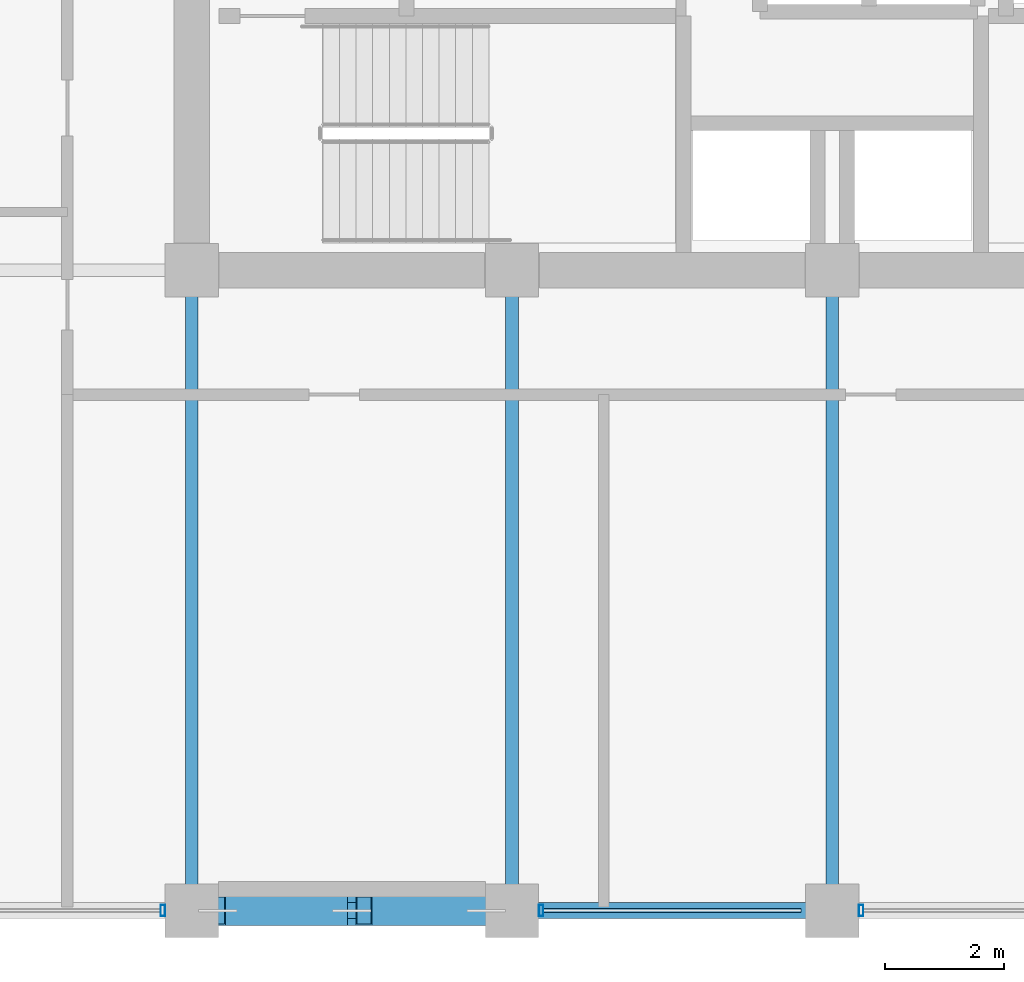
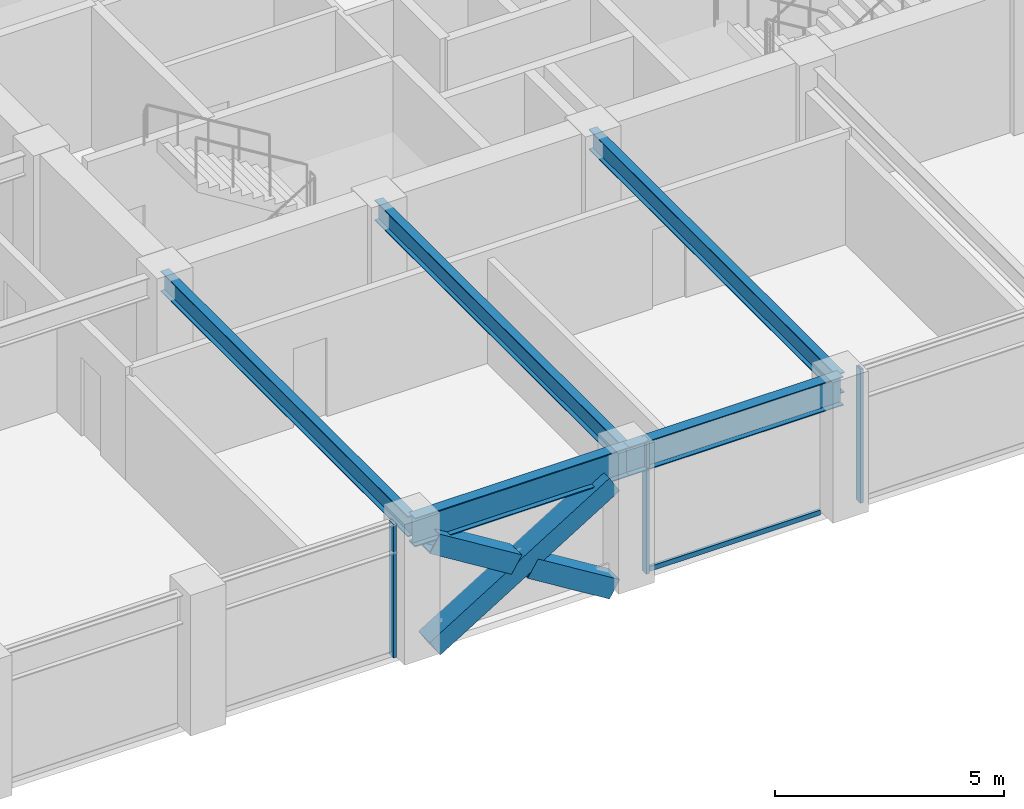
# One storey, part 4 of 28: 7 members, 5 beams, 2 elements without a shape of their own.
"""IFC4 building model written with IfcOpenShell, lengths in metres."""

from ifc_helpers import new_model, si_unit, direction, frame, origin, origin_2d, place, context, subcontext, project, spatial, hollow_rectangle, i_section, extrude, material, layer, layer_set, material_profile, profile_set, type_object, element, aggregate, save


model = new_model("IFC4")

# Units and contexts
model_context = context("Model", 3, precision=1e-05, world=origin(), true_north=direction((0.0, 1.0)))
body_context = subcontext(model_context, "Body", "Model", "MODEL_VIEW")
ifc_project = project(units=[si_unit("LENGTHUNIT", "METRE"), si_unit("AREAUNIT", "SQUARE_METRE"), si_unit("VOLUMEUNIT", "CUBIC_METRE"), si_unit("PLANEANGLEUNIT", "RADIAN"), si_unit("MASSUNIT", "GRAM", prefix="KILO")], contexts=[model_context])

# Site, building, storey
site_placement = place(None, origin())
site = spatial("IfcSite", under=ifc_project, at=site_placement, CompositionType="ELEMENT")
building_placement = place(site_placement, origin())
building = spatial("IfcBuilding", under=site, at=building_placement, Name="Surkhivell Harbour Commons", CompositionType="ELEMENT")
storey_placement = place(building_placement, frame((0.0, 0.0, 174.75)))
storey = spatial("IfcBuildingStorey", under=building, at=storey_placement, Name="L45", CompositionType="ELEMENT", Elevation=174.75)

# Beams
ifc_material_1 = material(Name="Steel S355", Category="steel")
ifc_material_profile_1 = material_profile(ifc_material_1, i_section(OverallWidth=0.2119140625, OverallDepth=0.5439453125, WebThickness=0.0126953125, FlangeThickness=0.021240234375, at=origin_2d()), Name="UB533x210x122")
ifc_profile_set_1 = profile_set([ifc_material_profile_1], Name="Steel S355")
beam_type_1 = type_object("IfcBeamType", Name="BM-GRD-533A", PredefinedType="BEAM", material=ifc_profile_set_1)
for number, where, z_axis, x_axis, name in (
    (1, (-10.800048828125, -21.60009765625, 3.298095703125), (0.0, 1.0, 0.0), (-1.0, 0.0, 0.0), "L45 Floor Girder (-10.8,-21.6)"),
    (2, (-5.39990234375, -21.60009765625, 3.298095703125), (0.0, 1.0, 0.0), (-1.0, 0.0, 0.0), "L45 Floor Girder (-5.4,-21.6)"),
    (3, (0.0, -21.60009765625, 3.298095703125), (0.0, 1.0, 0.0), (-1.0, 0.0, 0.0), "L45 Floor Girder (0.0,-21.6)"),
):
    element("IfcBeam", number, at=place(storey_placement, frame(where, z_axis=z_axis, x_axis=x_axis)), inside=storey, type_object=beam_type_1, Name=name, PredefinedType="BEAM", context=body_context, shape_type="SweptSolid", body=[
        extrude(i_section(OverallWidth=0.2119140625, OverallDepth=0.5439453125, WebThickness=0.0126953125, FlangeThickness=0.021240234375, at=origin_2d()), origin(), (0.0, 0.0, 1.0), 10.800048828125),
    ])
ifc_material_profile_2 = material_profile(ifc_material_1, i_section(OverallWidth=0.26806640625, OverallDepth=0.77001953125, WebThickness=0.015625, FlangeThickness=0.025390625, at=origin_2d()), Name="UB762x267x197")
ifc_profile_set_2 = profile_set([ifc_material_profile_2], Name="Steel S355")
beam_type_2 = type_object("IfcBeamType", Name="BM-SPN-762", PredefinedType="SPANDREL", material=ifc_profile_set_2)
beam_1_placement = place(storey_placement, frame((-10.800048828125, -21.60009765625, 3.18505859375), z_axis=(1.0, 0.0, 0.0), x_axis=(0.0, 1.0, 0.0)))
element("IfcBeam", 4, at=beam_1_placement, inside=storey, type_object=beam_type_2, Name="L45 Tube Spandrel (-10.8,-21.6)", PredefinedType="SPANDREL", context=body_context, shape_type="SweptSolid", body=[
    extrude(i_section(OverallWidth=0.26806640625, OverallDepth=0.77001953125, WebThickness=0.015625, FlangeThickness=0.025390625, at=origin_2d()), origin(), (0.0, 0.0, 1.0), 5.400146484375),
])
beam_2_placement = place(storey_placement, frame((-5.39990234375, -21.60009765625, 3.18505859375), z_axis=(1.0, 0.0, 0.0), x_axis=(0.0, 1.0, 0.0)))
element("IfcBeam", 5, at=beam_2_placement, inside=storey, type_object=beam_type_2, Name="L45 Tube Spandrel (-5.4,-21.6)", PredefinedType="SPANDREL", context=body_context, shape_type="SweptSolid", body=[
    extrude(i_section(OverallWidth=0.26806640625, OverallDepth=0.77001953125, WebThickness=0.015625, FlangeThickness=0.025390625, at=origin_2d()), origin(), (0.0, 0.0, 1.0), 5.39990234375),
])

# Curtain wall, member
ifc_material_2 = material(Name="Anodised pale-metal aluminium and insulated glazing", Category="aluminium")
ifc_layer = layer(ifc_material_2, 0.18994140625)
ifc_layer_set = layer_set([ifc_layer], Name="Anodised pale-metal aluminium and insulated glazing")
curtain_wall_type = type_object("IfcCurtainWallType", Name="CW-SYS-Z3", PredefinedType="NOTDEFINED", material=ifc_layer_set)
curtain_wall_1_placement = place(storey_placement, origin())
curtain_wall_1 = element("IfcCurtainWall", 6, at=curtain_wall_1_placement, inside=storey, type_object=curtain_wall_type, Name="L45 Curtain Wall CW-L45-E00S1", PredefinedType="NOTDEFINED")
ifc_material_3 = material(Name="Anodised pale-metal aluminium alloy 6063-T6", Category="aluminium")
ifc_material_profile_3 = material_profile(ifc_material_3, hollow_rectangle(XDim=0.074951171875, YDim=0.18994140625, WallThickness=0.00390625, at=origin_2d()), Name="ALU-MULL-75x190")
ifc_profile_set_3 = profile_set([ifc_material_profile_3], Name="Anodised pale-metal aluminium alloy 6063-T6")
member_type_1 = type_object("IfcMemberType", Name="CWM-190", PredefinedType="MULLION", material=ifc_profile_set_3)
member_1_placement = place(storey_placement, frame((-11.28955078125, -21.60009765625, 0.0), z_axis=(0.0, 0.0, 1.0), x_axis=(1.0, 0.0, 0.0)))
member_1 = element("IfcMember", 7, at=member_1_placement, type_object=member_type_1, Name="CW-Z3 mullion 3", PredefinedType="MULLION", context=body_context, shape_type="SweptSolid", body=[
    extrude(hollow_rectangle(XDim=0.074951171875, YDim=0.18994140625, WallThickness=0.00390625, at=origin_2d()), origin(), (0.0, 0.0, 1.0), 3.570068359375),
])
aggregate(curtain_wall_1, [member_1])

# Curtain wall, members
curtain_wall_2_placement = place(storey_placement, origin())
curtain_wall_2 = element("IfcCurtainWall", 8, at=curtain_wall_2_placement, inside=storey, type_object=curtain_wall_type, Name="L45 Curtain Wall CW-L45-E00S2", PredefinedType="NOTDEFINED")
member_2_placement = place(storey_placement, frame((-4.910400390625, -21.60009765625, 0.0), z_axis=(0.0, 0.0, 1.0), x_axis=(1.0, 0.0, 0.0)))
member_2 = element("IfcMember", 9, at=member_2_placement, type_object=member_type_1, Name="CW-Z3 mullion 1", PredefinedType="MULLION", context=body_context, shape_type="SweptSolid", body=[
    extrude(hollow_rectangle(XDim=0.074951171875, YDim=0.18994140625, WallThickness=0.00390625, at=origin_2d()), origin(), (0.0, 0.0, 1.0), 3.570068359375),
])
member_3_placement = place(storey_placement, frame((0.489501953125, -21.60009765625, 0.0), z_axis=(0.0, 0.0, 1.0), x_axis=(1.0, 0.0, 0.0)))
member_3 = element("IfcMember", 10, at=member_3_placement, type_object=member_type_1, Name="CW-Z3 mullion 2", PredefinedType="MULLION", context=body_context, shape_type="SweptSolid", body=[
    extrude(hollow_rectangle(XDim=0.074951171875, YDim=0.18994140625, WallThickness=0.00390625, at=origin_2d()), origin(), (0.0, 0.0, 1.0), 3.570068359375),
])
ifc_material_4 = material(Name="Champagne anodised aluminium alloy 6063-T6", Category="aluminium")
ifc_material_profile_4 = material_profile(ifc_material_4, hollow_rectangle(XDim=0.070068359375, YDim=0.1298828125, WallThickness=0.00341796875, at=origin_2d()), Name="ALU-TRAN-70x130")
ifc_profile_set_4 = profile_set([ifc_material_profile_4], Name="Champagne anodised aluminium alloy 6063-T6")
member_type_2 = type_object("IfcMemberType", Name="CWT-130", PredefinedType="USERDEFINED", material=ifc_profile_set_4)
member_4_placement = place(storey_placement, frame((-4.873046875, -21.60009765625, 0.06494140625), z_axis=(1.0, 0.0, 0.0), x_axis=(0.0, 1.0, 0.0)))
member_4 = element("IfcMember", 11, at=member_4_placement, type_object=member_type_2, Name="CW-Z3 transom 1.1", ObjectType="TRANSOM", PredefinedType="USERDEFINED", context=body_context, shape_type="SweptSolid", body=[
    extrude(hollow_rectangle(XDim=0.070068359375, YDim=0.1298828125, WallThickness=0.00341796875, at=origin_2d()), origin(), (0.0, 0.0, 1.0), 4.345947265625),
])
aggregate(curtain_wall_2, [member_2, member_4, member_3])

# Members
ifc_material_5 = material(Name="Steel S460", Category="steel")
ifc_material_profile_5 = material_profile(ifc_material_5, hollow_rectangle(XDim=0.5, YDim=0.5, WallThickness=0.02490234375, at=origin_2d()), Name="SHS500x500x25")
ifc_profile_set_5 = profile_set([ifc_material_profile_5], Name="Steel S460")
member_type_3 = type_object("IfcMemberType", Name="MEM-BRC-SHS500", PredefinedType="BRACE", material=ifc_profile_set_5)
member_5_placement = place(storey_placement, frame((-10.364990234375, -21.60009765625, 0.008056640625), z_axis=(0.850971032488, 0.0, 0.525212625387), x_axis=(0.0, 1.0, 0.0)))
element("IfcMember", 12, at=member_5_placement, inside=storey, type_object=member_type_3, Name="L45 Perimeter Mega-Brace MB- 07", PredefinedType="BRACE", context=body_context, shape_type="SweptSolid", body=[
    extrude(hollow_rectangle(XDim=0.5, YDim=0.5, WallThickness=0.02490234375, at=origin_2d()), origin(), (0.0, 0.0, 1.0), 5.323486328125),
])
for number, where, z_axis, x_axis, name in (
    (13, (-5.8349609375, -21.60009765625, 0.008056640625), (-0.8510034189, 0.0, 0.525160147974), (0.0, -1.0, 0.0), "L45 Perimeter Mega-Brace MB- 08"),
    (14, (-8.30419921875, -21.60009765625, 1.531982421875), (-0.850958361341, 0.0, 0.525233155146), (0.0, -1.0, 0.0), "L45 Perimeter Mega-Brace MB- 09"),
):
    element("IfcMember", number, at=place(storey_placement, frame(where, z_axis=z_axis, x_axis=x_axis)), inside=storey, type_object=member_type_3, Name=name, PredefinedType="BRACE", context=body_context, shape_type="SweptSolid", body=[
        extrude(hollow_rectangle(XDim=0.5, YDim=0.5, WallThickness=0.02490234375, at=origin_2d()), origin(), (0.0, 0.0, 1.0), 2.421630859375),
    ])

save(model, "model.ifc")
